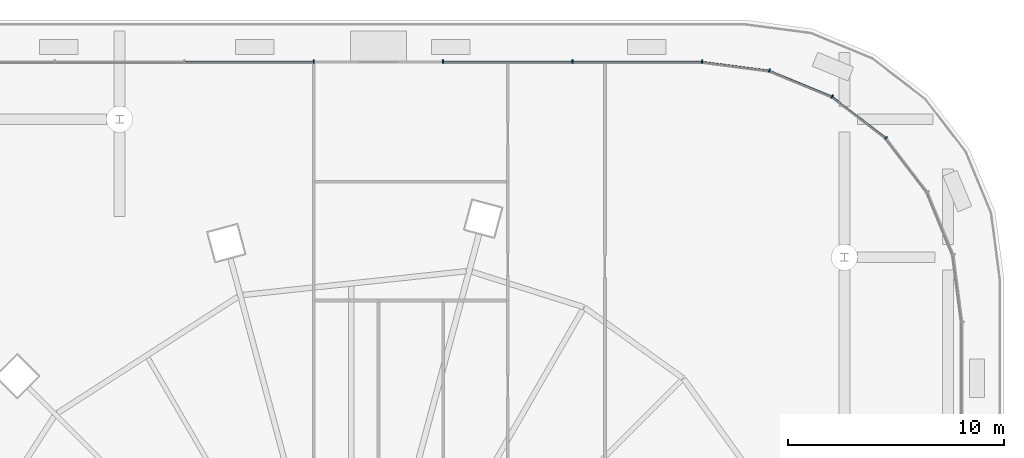
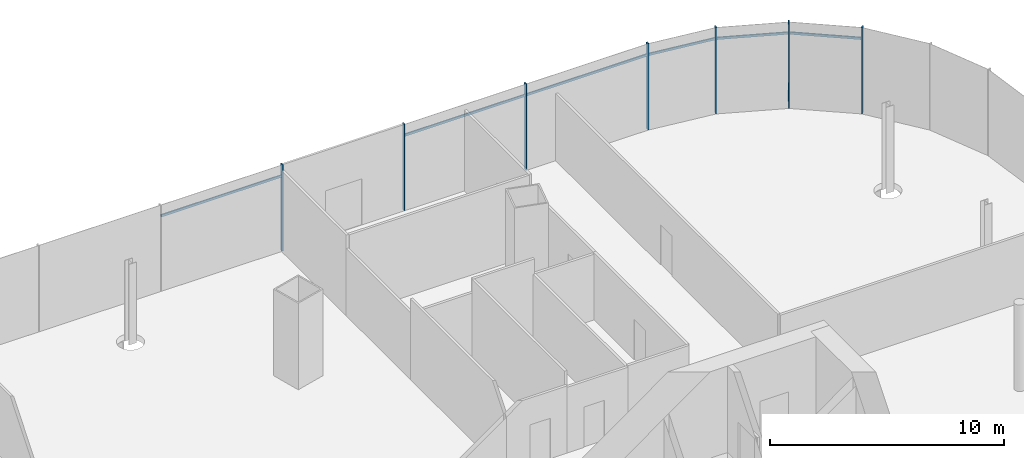
# One storey, part 33 of 56: 13 members, 1 element without a shape of its own.
"""IFC4 building model written with IfcOpenShell, lengths in metres."""

from ifc_helpers import new_model, si_unit, direction, frame, origin, origin_2d, place, context, subcontext, project, spatial, rectangle, extrude, material, material_profile, profile_set, type_object, element, aggregate, save


model = new_model("IFC4")

# Units and contexts
model_context = context("Model", 3, precision=1e-05, world=origin(), true_north=direction((0.0, 1.0)))
body_context = subcontext(model_context, "Body", "Model", "MODEL_VIEW")
ifc_project = project(units=[si_unit("LENGTHUNIT", "METRE"), si_unit("AREAUNIT", "SQUARE_METRE"), si_unit("VOLUMEUNIT", "CUBIC_METRE"), si_unit("PLANEANGLEUNIT", "RADIAN"), si_unit("MASSUNIT", "GRAM", prefix="KILO")], contexts=[model_context])

# Site, building, storey
site_placement = place(None, origin())
site = spatial("IfcSite", under=ifc_project, at=site_placement, CompositionType="ELEMENT")
building_placement = place(site_placement, origin())
building = spatial("IfcBuilding", under=site, at=building_placement, Name="Rimbun Link Towers", CompositionType="ELEMENT")
storey_placement = place(building_placement, frame((0.0, 0.0, 16.5)))
storey = spatial("IfcBuildingStorey", under=building, at=storey_placement, Name="L03", CompositionType="ELEMENT", Elevation=16.5)

# Curtain wall, members
ifc_material_1 = material(Name="Aluminium 6063-T6 and low-iron glass", Category="aluminium")
curtain_wall_type = type_object("IfcCurtainWallType", Name="CW3 podium shopfront", PredefinedType="NOTDEFINED", material=ifc_material_1)
curtain_wall_placement = place(storey_placement, origin())
curtain_wall = element("IfcCurtainWall", 1, at=curtain_wall_placement, inside=storey, type_object=curtain_wall_type, Name="CW3 L03 PD", PredefinedType="NOTDEFINED")
ifc_material_2 = material(Name="Aluminium 6063-T6", Category="aluminium")
ifc_material_profile_1 = material_profile(ifc_material_2, rectangle(XDim=0.14990234375, YDim=0.06005859375, at=origin_2d()), Name="MULLION 60X150")
ifc_profile_set_1 = profile_set([ifc_material_profile_1], Name="Aluminium 6063-T6")
member_type_1 = type_object("IfcMemberType", Name="CW3 mullion 60X150", PredefinedType="MULLION", material=ifc_profile_set_1)
member_1_placement = place(storey_placement, frame((56.538330078125, 26.538330078125, 0.0), z_axis=(0.0, 0.0, 1.0), x_axis=(0.707106781187, 0.707106781187, 0.0)))
member_1 = element("IfcMember", 2, at=member_1_placement, type_object=member_type_1, Name="CW3 mullion", PredefinedType="MULLION", context=body_context, shape_type="SweptSolid", body=[
    extrude(rectangle(XDim=0.14990234375, YDim=0.06005859375, at=origin_2d()), origin(), (0.0, 0.0, 1.0), 4.5),
])
member_2_placement = place(storey_placement, frame((54.03759765625, 28.457275390625, 0.0), z_axis=(0.0, 0.0, 1.0), x_axis=(0.499993701568, 0.866029040155, 0.0)))
member_2 = element("IfcMember", 3, at=member_2_placement, type_object=member_type_1, Name="CW3 mullion", PredefinedType="MULLION", context=body_context, shape_type="SweptSolid", body=[
    extrude(rectangle(XDim=0.14990234375, YDim=0.06005859375, at=origin_2d()), origin(), (0.0, 0.0, 1.0), 4.5),
])
member_3_placement = place(storey_placement, frame((51.125244140625, 29.66357421875, 0.0), z_axis=(0.0, 0.0, 1.0), x_axis=(0.258818729038, 0.965925910978, 0.0)))
member_3 = element("IfcMember", 4, at=member_3_placement, type_object=member_type_1, Name="CW3 mullion", PredefinedType="MULLION", context=body_context, shape_type="SweptSolid", body=[
    extrude(rectangle(XDim=0.14990234375, YDim=0.06005859375, at=origin_2d()), origin(), (0.0, 0.0, 1.0), 4.5),
])
member_4_placement = place(storey_placement, frame((48.0048828125, 30.074951171875, 0.0), z_axis=(0.0, 0.0, 1.0), x_axis=(0.065405288299, 0.997858781723, 0.0)))
member_4 = element("IfcMember", 5, at=member_4_placement, type_object=member_type_1, Name="CW3 mullion", PredefinedType="MULLION", context=body_context, shape_type="SweptSolid", body=[
    extrude(rectangle(XDim=0.14990234375, YDim=0.06005859375, at=origin_2d()), origin(), (0.0, 0.0, 1.0), 4.5),
])
member_5_placement = place(storey_placement, frame((42.0, 30.074951171875, 0.0), z_axis=(0.0, 0.0, 1.0), x_axis=(0.0, 1.0, 0.0)))
member_5 = element("IfcMember", 6, at=member_5_placement, type_object=member_type_1, Name="CW3 mullion", PredefinedType="MULLION", context=body_context, shape_type="SweptSolid", body=[
    extrude(rectangle(XDim=0.14990234375, YDim=0.06005859375, at=origin_2d()), origin(), (0.0, 0.0, 1.0), 4.5),
])
member_6_placement = place(storey_placement, frame((36.0, 30.074951171875, 0.0), z_axis=(0.0, 0.0, 1.0), x_axis=(0.0, 1.0, 0.0)))
member_6 = element("IfcMember", 7, at=member_6_placement, type_object=member_type_1, Name="CW3 mullion", PredefinedType="MULLION", context=body_context, shape_type="SweptSolid", body=[
    extrude(rectangle(XDim=0.14990234375, YDim=0.06005859375, at=origin_2d()), origin(), (0.0, 0.0, 1.0), 4.5),
])
member_7_placement = place(storey_placement, frame((30.0, 30.074951171875, 0.0), z_axis=(0.0, 0.0, 1.0), x_axis=(0.0, 1.0, 0.0)))
member_7 = element("IfcMember", 8, at=member_7_placement, type_object=member_type_1, Name="CW3 mullion", PredefinedType="MULLION", context=body_context, shape_type="SweptSolid", body=[
    extrude(rectangle(XDim=0.14990234375, YDim=0.06005859375, at=origin_2d()), origin(), (0.0, 0.0, 1.0), 4.5),
])
ifc_material_3 = material(Name="Aluminium 6063-T6", Category="aluminium")
ifc_material_profile_2 = material_profile(ifc_material_3, rectangle(XDim=0.06005859375, YDim=0.1201171875, at=origin_2d()), Name="TRANSOM 60X120")
ifc_profile_set_2 = profile_set([ifc_material_profile_2], Name="Aluminium 6063-T6")
member_type_2 = type_object("IfcMemberType", Name="CW3 transom 60X120", PredefinedType="USERDEFINED", material=ifc_profile_set_2)
member_8_placement = place(storey_placement, frame((54.056640625, 28.4169921875, 3.89990234375), z_axis=(0.793344129687, -0.608773432314, 0.0), x_axis=(0.608773432314, 0.793344129687, 0.0)))
member_8 = element("IfcMember", 9, at=member_8_placement, type_object=member_type_2, Name="CW3 transom", ObjectType="TRANSOM", PredefinedType="USERDEFINED", context=body_context, shape_type="SweptSolid", body=[
    extrude(rectangle(XDim=0.06005859375, YDim=0.1201171875, at=origin_2d()), origin(), (0.0, 0.0, 1.0), 3.07275390625),
])
member_9_placement = place(storey_placement, frame((51.154296875, 29.62939453125, 3.89990234375), z_axis=(0.923881248716, -0.382679289053, 0.0), x_axis=(0.382679289053, 0.923881248716, 0.0)))
member_9 = element("IfcMember", 10, at=member_9_placement, type_object=member_type_2, Name="CW3 transom", ObjectType="TRANSOM", PredefinedType="USERDEFINED", context=body_context, shape_type="SweptSolid", body=[
    extrude(rectangle(XDim=0.06005859375, YDim=0.1201171875, at=origin_2d()), origin(), (0.0, 0.0, 1.0), 3.072509765625),
])
member_10_placement = place(storey_placement, frame((48.036865234375, 30.049560546875, 3.89990234375), z_axis=(0.991441037829, -0.130555231638, 0.0), x_axis=(0.130555231638, 0.991441037829, 0.0)))
member_10 = element("IfcMember", 11, at=member_10_placement, type_object=member_type_2, Name="CW3 transom", ObjectType="TRANSOM", PredefinedType="USERDEFINED", context=body_context, shape_type="SweptSolid", body=[
    extrude(rectangle(XDim=0.06005859375, YDim=0.1201171875, at=origin_2d()), origin(), (0.0, 0.0, 1.0), 3.072509765625),
])
member_11_placement = place(storey_placement, frame((42.030029296875, 30.053955078125, 3.89990234375), z_axis=(1.0, 0.0, 0.0), x_axis=(0.0, 1.0, 0.0)))
member_11 = element("IfcMember", 12, at=member_11_placement, type_object=member_type_2, Name="CW3 transom", ObjectType="TRANSOM", PredefinedType="USERDEFINED", context=body_context, shape_type="SweptSolid", body=[
    extrude(rectangle(XDim=0.06005859375, YDim=0.1201171875, at=origin_2d()), origin(), (0.0, 0.0, 1.0), 5.93994140625),
])
member_12_placement = place(storey_placement, frame((36.030029296875, 30.053955078125, 3.89990234375), z_axis=(1.0, 0.0, 0.0), x_axis=(0.0, 1.0, 0.0)))
member_12 = element("IfcMember", 13, at=member_12_placement, type_object=member_type_2, Name="CW3 transom", ObjectType="TRANSOM", PredefinedType="USERDEFINED", context=body_context, shape_type="SweptSolid", body=[
    extrude(rectangle(XDim=0.06005859375, YDim=0.1201171875, at=origin_2d()), origin(), (0.0, 0.0, 1.0), 5.93994140625),
])
member_13_placement = place(storey_placement, frame((24.030029296875, 30.053955078125, 3.89990234375), z_axis=(1.0, 0.0, 0.0), x_axis=(0.0, 1.0, 0.0)))
member_13 = element("IfcMember", 14, at=member_13_placement, type_object=member_type_2, Name="CW3 transom", ObjectType="TRANSOM", PredefinedType="USERDEFINED", context=body_context, shape_type="SweptSolid", body=[
    extrude(rectangle(XDim=0.06005859375, YDim=0.1201171875, at=origin_2d()), origin(), (0.0, 0.0, 1.0), 5.93994140625),
])
aggregate(curtain_wall, [member_1, member_2, member_3, member_4, member_5, member_6, member_7, member_8, member_9, member_10, member_11, member_12, member_13])

save(model, "model.ifc")
